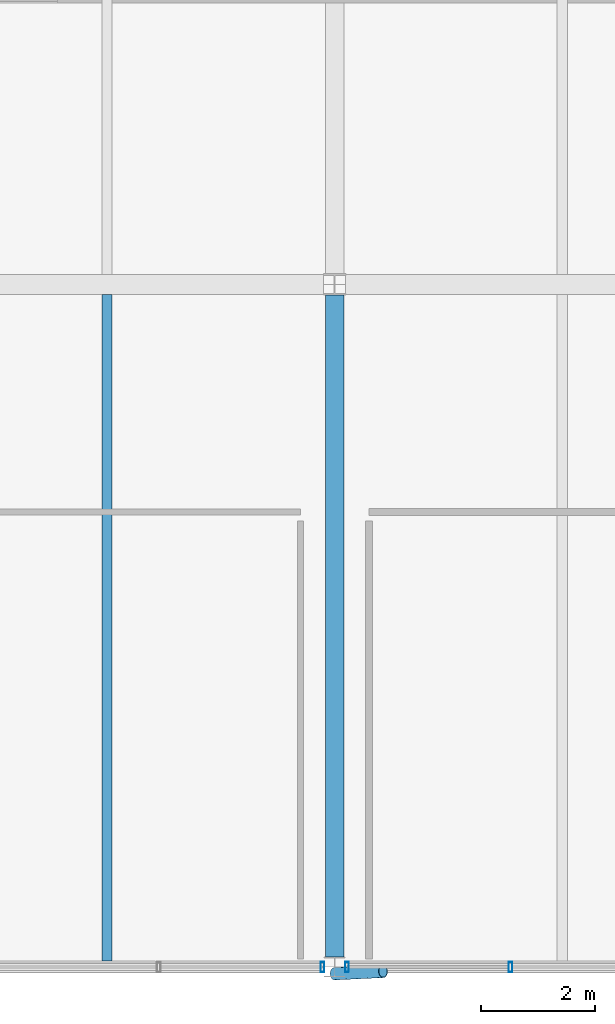
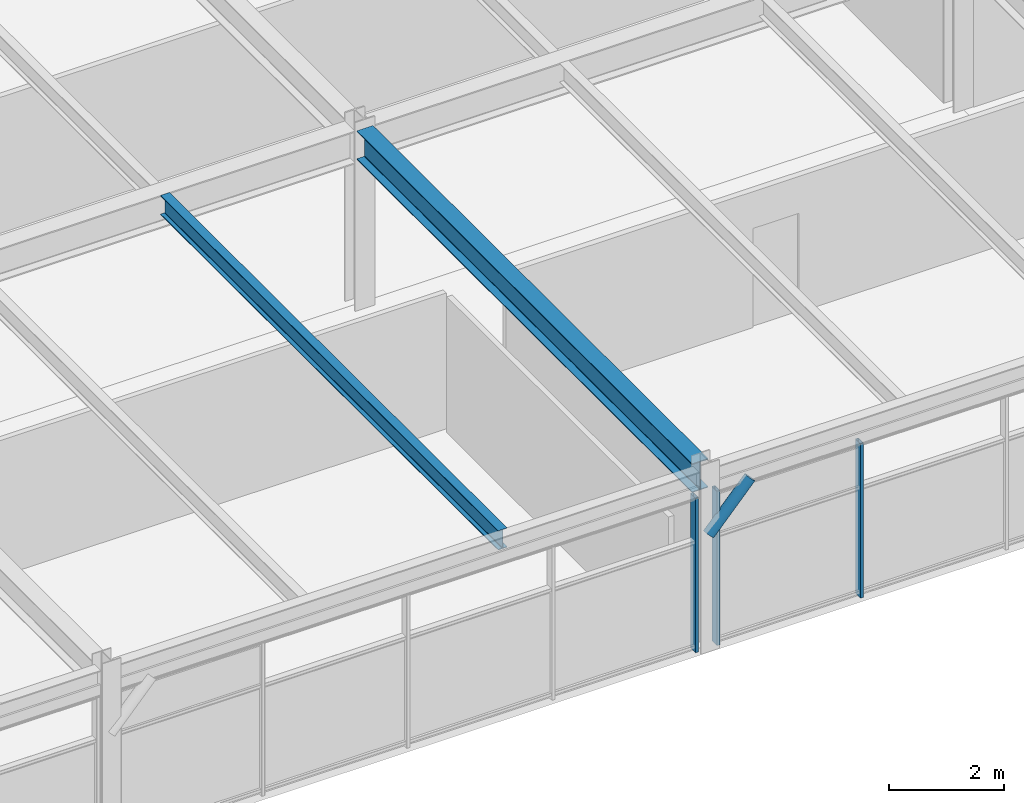
# One storey, part 18 of 40: 4 members, 2 beams, 2 elements without a shape of their own.
"""IFC4 building model written with IfcOpenShell, lengths in metres."""

from ifc_helpers import new_model, si_unit, direction, frame, origin, origin_2d, place, context, subcontext, project, spatial, hollow_rectangle, hollow_circle, i_section, extrude, material, material_profile, profile_set, type_object, element, aggregate, save


model = new_model("IFC4")

# Units and contexts
model_context = context("Model", 3, precision=1e-05, world=origin(), true_north=direction((0.0, 1.0)))
body_context = subcontext(model_context, "Body", "Model", "MODEL_VIEW")
ifc_project = project(units=[si_unit("LENGTHUNIT", "METRE"), si_unit("AREAUNIT", "SQUARE_METRE"), si_unit("VOLUMEUNIT", "CUBIC_METRE"), si_unit("PLANEANGLEUNIT", "RADIAN"), si_unit("MASSUNIT", "GRAM", prefix="KILO")], contexts=[model_context])

# Site, building, storey
site_placement = place(None, origin())
site = spatial("IfcSite", under=ifc_project, at=site_placement, CompositionType="ELEMENT")
building_placement = place(site_placement, origin())
building = spatial("IfcBuilding", under=site, at=building_placement, Name="Girod Span Mobility Hub", CompositionType="ELEMENT")
storey_placement = place(building_placement, frame((0.0, 0.0, 53.60009765625)))
storey = spatial("IfcBuildingStorey", under=building, at=storey_placement, Name="L13", CompositionType="ELEMENT", Elevation=53.60009765625)

# Beams
ifc_material_1 = material(Name="Steel A992 Grade 50", Category="steel")
ifc_material_profile_1 = material_profile(ifc_material_1, i_section(OverallWidth=0.178955078125, OverallDepth=0.409912109375, WebThickness=0.0087890625, FlangeThickness=0.014404296875, FilletRadius=0.012939453125, at=origin_2d()), Name="W16X45")
ifc_profile_set_1 = profile_set([ifc_material_profile_1], Name="Steel A992 Grade 50")
beam_type_1 = type_object("IfcBeamType", Name="BM-STL-W16X45", PredefinedType="BEAM", material=ifc_profile_set_1)
beam_1_placement = place(storey_placement, frame((92.0, 45.10302734375, 3.60986328125), z_axis=(0.0, 1.0, 0.0), x_axis=(-1.0, 0.0, 0.0)))
element("IfcBeam", 1, at=beam_1_placement, inside=storey, type_object=beam_type_1, Name="Composite Floorbeam 8/D-2 L13", PredefinedType="BEAM", context=body_context, shape_type="SweptSolid", body=[
    extrude(i_section(OverallWidth=0.178955078125, OverallDepth=0.409912109375, WebThickness=0.0087890625, FlangeThickness=0.014404296875, FilletRadius=0.012939453125, at=origin_2d()), origin(), (0.0, 0.0, 1.0), 11.722412109375),
])
ifc_material_2 = material(Name="Steel A992 Grade 50", Category="steel")
ifc_material_profile_2 = material_profile(ifc_material_2, i_section(OverallWidth=0.323974609375, OverallDepth=0.611083984375, WebThickness=0.0126953125, FlangeThickness=0.01904296875, FilletRadius=0.014892578125, at=origin_2d()), Name="W24X104")
ifc_profile_set_2 = profile_set([ifc_material_profile_2], Name="Steel A992 Grade 50")
beam_type_2 = type_object("IfcBeamType", Name="BM-STL-W24X104", PredefinedType="BEAM", material=ifc_profile_set_2)
beam_2_placement = place(storey_placement, frame((96.0, 45.175048828125, 3.509521484375), z_axis=(0.0, 1.0, 0.0), x_axis=(-1.0, 0.0, 0.0)))
element("IfcBeam", 2, at=beam_2_placement, inside=storey, type_object=beam_type_2, Name="Tie Girder 9/D-E L13", PredefinedType="BEAM", context=body_context, shape_type="SweptSolid", body=[
    extrude(i_section(OverallWidth=0.323974609375, OverallDepth=0.611083984375, WebThickness=0.0126953125, FlangeThickness=0.01904296875, FilletRadius=0.014892578125, at=origin_2d()), origin(), (0.0, 0.0, 1.0), 11.640380859375),
])

# Curtain wall, member
ifc_material_3 = material(Name="Thermally Broken Anodised Aluminium", Category="aluminium")
curtain_wall_type = type_object("IfcCurtainWallType", Name="CW-1164X327", PredefinedType="USERDEFINED", material=ifc_material_3)
curtain_wall_1_placement = place(storey_placement, origin())
curtain_wall_1 = element("IfcCurtainWall", 3, at=curtain_wall_1_placement, inside=storey, type_object=curtain_wall_type, Name="Unitised Curtain Wall CW-L13-S08 L13", ObjectType="UNITISED CURTAIN WALL", PredefinedType="USERDEFINED")
ifc_material_4 = material(Name="Thermally Broken Anodised Aluminium", Category="aluminium")
ifc_material_profile_3 = material_profile(ifc_material_4, hollow_rectangle(XDim=0.179931640625, YDim=0.06494140625, WallThickness=0.00390625, InnerFilletRadius=0.00390625, OuterFilletRadius=0.008056640625, at=origin_2d()), Name="CW-ML-65X180")
ifc_profile_set_3 = profile_set([ifc_material_profile_3], Name="Thermally Broken Anodised Aluminium")
member_type_1 = type_object("IfcMemberType", Name="CWM-ML-2", PredefinedType="MULLION", material=ifc_profile_set_3)
member_1_placement = place(storey_placement, frame((95.785400390625, 45.0, 0.0), z_axis=(0.0, 0.0, 1.0), x_axis=(0.0, 1.0, 0.0)))
member_1 = element("IfcMember", 4, at=member_1_placement, type_object=member_type_1, Name="Curtain Wall Mullion CW-L13-S08-M4", PredefinedType="MULLION", context=body_context, shape_type="SweptSolid", body=[
    extrude(hollow_rectangle(XDim=0.179931640625, YDim=0.06494140625, WallThickness=0.00390625, InnerFilletRadius=0.00390625, OuterFilletRadius=0.008056640625, at=origin_2d()), origin(), (0.0, 0.0, 1.0), 3.27099609375),
])
aggregate(curtain_wall_1, [member_1])

# Curtain wall, members
curtain_wall_2_placement = place(storey_placement, origin())
curtain_wall_2 = element("IfcCurtainWall", 5, at=curtain_wall_2_placement, inside=storey, type_object=curtain_wall_type, Name="Unitised Curtain Wall CW-L13-S09 L13", ObjectType="UNITISED CURTAIN WALL", PredefinedType="USERDEFINED")
member_2_placement = place(storey_placement, frame((96.214599609375, 45.0, 0.0), z_axis=(0.0, 0.0, 1.0), x_axis=(0.0, 1.0, 0.0)))
member_2 = element("IfcMember", 6, at=member_2_placement, type_object=member_type_1, Name="Curtain Wall Mullion CW-L13-S09-M0", PredefinedType="MULLION", context=body_context, shape_type="SweptSolid", body=[
    extrude(hollow_rectangle(XDim=0.179931640625, YDim=0.06494140625, WallThickness=0.00390625, InnerFilletRadius=0.00390625, OuterFilletRadius=0.008056640625, at=origin_2d()), origin(), (0.0, 0.0, 1.0), 3.27099609375),
])
member_3_placement = place(storey_placement, frame((99.09130859375, 45.0, 0.0), z_axis=(0.0, 0.0, 1.0), x_axis=(0.0, 1.0, 0.0)))
member_3 = element("IfcMember", 7, at=member_3_placement, type_object=member_type_1, Name="Curtain Wall Mullion CW-L13-S09-M1", PredefinedType="MULLION", context=body_context, shape_type="SweptSolid", body=[
    extrude(hollow_rectangle(XDim=0.179931640625, YDim=0.06494140625, WallThickness=0.00390625, InnerFilletRadius=0.00390625, OuterFilletRadius=0.008056640625, at=origin_2d()), origin(), (0.0, 0.0, 1.0), 3.27099609375),
])
aggregate(curtain_wall_2, [member_2, member_3])

# Member
ifc_material_5 = material(Name="Steel HSS A500 Grade C", Category="steel")
ifc_material_profile_4 = material_profile(ifc_material_5, hollow_circle(Radius=0.109619140625, WallThickness=0.0087890625, at=origin_2d()), Name="HSS219X9.5")
ifc_profile_set_4 = profile_set([ifc_material_profile_4], Name="Steel HSS A500 Grade C")
member_type_2 = type_object("IfcMemberType", Name="MB-ST-HSS219", PredefinedType="STRUT", material=ifc_profile_set_4)
member_4_placement = place(storey_placement, frame((96.0, 44.8798828125, 2.449951171875), z_axis=(0.692370429022, 0.032610209753, 0.720804941184), x_axis=(-0.047047213483, 0.998892666758, 0.0)))
element("IfcMember", 8, at=member_4_placement, inside=storey, type_object=member_type_2, Name="Solar Shading Knee Strut 9 L13", PredefinedType="STRUT", context=body_context, shape_type="SweptSolid", body=[
    extrude(hollow_circle(Radius=0.109619140625, WallThickness=0.0087890625, at=origin_2d()), origin(), (0.0, 0.0, 1.0), 1.227783203125),
])

save(model, "model.ifc")
